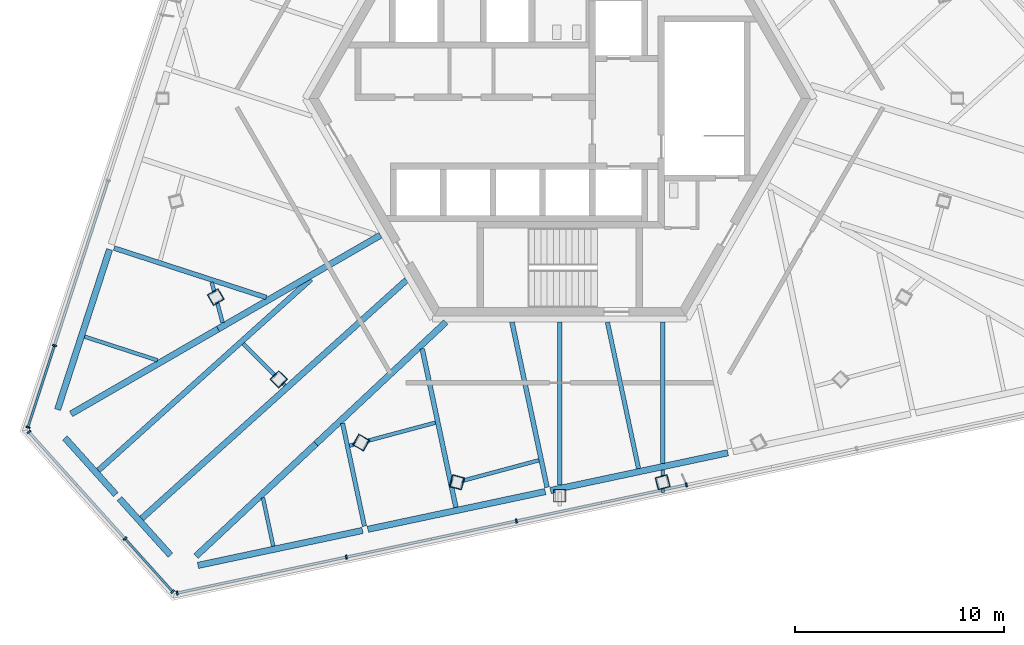
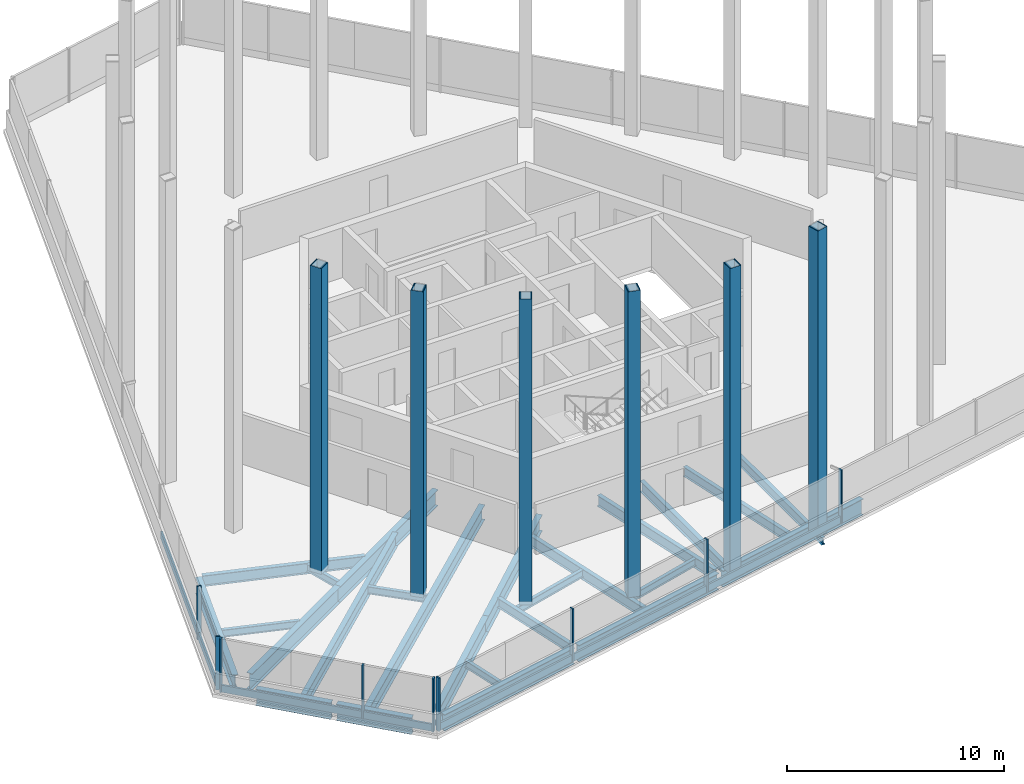
# One storey, part 1 of 11: 26 beams, 22 members, 3 elements without a shape of their own.
"""IFC4 building model written with IfcOpenShell, lengths in metres."""

from ifc_helpers import new_model, si_unit, direction, frame, origin, origin_2d, place, context, subcontext, project, spatial, rectangle, hollow_rectangle, i_section, extrude, source, transform, mapped, material, material_profile, profile_set, type_object, element, aggregate, save


model = new_model("IFC4")

# Units and contexts
model_context = context("Model", 3, precision=1e-05, world=origin(), true_north=direction((0.0, 1.0)))
body_context = subcontext(model_context, "Body", "Model", "MODEL_VIEW")
ifc_project = project(units=[si_unit("LENGTHUNIT", "METRE"), si_unit("AREAUNIT", "SQUARE_METRE"), si_unit("VOLUMEUNIT", "CUBIC_METRE"), si_unit("PLANEANGLEUNIT", "RADIAN"), si_unit("MASSUNIT", "GRAM", prefix="KILO")], contexts=[model_context])

# Site, building, storey
site_placement = place(None, origin())
site = spatial("IfcSite", under=ifc_project, at=site_placement, CompositionType="ELEMENT")
building_placement = place(site_placement, origin())
building = spatial("IfcBuilding", under=site, at=building_placement, Name="Triune Harvest Tower", CompositionType="ELEMENT")
storey_placement = place(building_placement, frame((0.0, 0.0, 296.699951171875)))
storey = spatial("IfcBuildingStorey", under=building, at=storey_placement, Name="L78", CompositionType="ELEMENT", Elevation=296.699951171875)

# Beams
ifc_material_1 = material(Name="Steel ASTM A992 Gr 50", Category="steel")
ifc_material_profile_1 = material_profile(ifc_material_1, i_section(OverallWidth=0.180908203125, OverallDepth=0.41650390625, WebThickness=0.010986328125, FlangeThickness=0.01806640625, at=origin_2d()), Name="W16x57")
ifc_profile_set_1 = profile_set([ifc_material_profile_1], Name="Steel ASTM A992 Gr 50")
beam_type_1 = type_object("IfcBeamType", Name="CJ-1 Crown deck joist W16x57", PredefinedType="JOIST", material=ifc_profile_set_1)
beam_1_placement = place(storey_placement, frame((4.91748046875, -17.762451171875, -0.408203125), z_axis=(0.0, -1.0, 0.0), x_axis=(1.0, 0.0, 0.0)))
element("IfcBeam", 1, at=beam_1_placement, inside=storey, type_object=beam_type_1, Name="beam/L78/CR23", PredefinedType="JOIST", context=body_context, shape_type="SweptSolid", body=[
    extrude(i_section(OverallWidth=0.180908203125, OverallDepth=0.41650390625, WebThickness=0.010986328125, FlangeThickness=0.01806640625, at=origin_2d()), origin(), (0.0, 0.0, 1.0), 1.090087890625),
])
ifc_material_2 = material(Name="Steel ASTM A992 Gr 50", Category="steel")
ifc_material_profile_2 = material_profile(ifc_material_2, i_section(OverallWidth=0.2099609375, OverallDepth=0.535888671875, WebThickness=0.010986328125, FlangeThickness=0.017333984375, at=origin_2d()), Name="W21x68")
ifc_profile_set_2 = profile_set([ifc_material_profile_2], Name="Steel ASTM A992 Gr 50")
beam_type_2 = type_object("IfcBeamType", Name="JT-2 Floor joist W21x68", PredefinedType="JOIST", material=ifc_profile_set_2)
beam_2_placement = place(storey_placement, frame((4.91748046875, -17.45068359375, -0.468017578125), z_axis=(0.0, 1.0, 0.0), x_axis=(-1.0, 0.0, 0.0)))
element("IfcBeam", 2, at=beam_2_placement, inside=storey, type_object=beam_type_2, Name="beam/L78/CR24", PredefinedType="JOIST", context=body_context, shape_type="SweptSolid", body=[
    extrude(i_section(OverallWidth=0.2099609375, OverallDepth=0.535888671875, WebThickness=0.010986328125, FlangeThickness=0.017333984375, at=origin_2d()), origin(), (0.0, 0.0, 1.0), 6.753662109375),
])
ifc_material_3 = material(Name="Steel ASTM A992 Gr 50", Category="steel")
ifc_material_profile_3 = material_profile(ifc_material_3, i_section(OverallWidth=0.22900390625, OverallDepth=0.612060546875, WebThickness=0.011962890625, FlangeThickness=0.01953125, at=origin_2d()), Name="W24x84")
ifc_profile_set_3 = profile_set([ifc_material_profile_3], Name="Steel ASTM A992 Gr 50")
beam_type_3 = type_object("IfcBeamType", Name="JT-3 Floor joist W24x84", PredefinedType="JOIST", material=ifc_profile_set_3)
beam_3_placement = place(storey_placement, frame((0.0, -10.697021484375, -0.506103515625), z_axis=(0.0, -1.0, 0.0), x_axis=(1.0, 0.0, 0.0)))
element("IfcBeam", 3, at=beam_3_placement, inside=storey, type_object=beam_type_3, Name="beam/L78/CR22", PredefinedType="JOIST", context=body_context, shape_type="SweptSolid", body=[
    extrude(i_section(OverallWidth=0.22900390625, OverallDepth=0.612060546875, WebThickness=0.011962890625, FlangeThickness=0.01953125, at=origin_2d()), origin(), (0.0, 0.0, 1.0), 7.799072265625),
])

# Curtain wall, member
ifc_material_4 = material(Name="Aluminium bronze anodised", Category="aluminium")
curtain_wall_type = type_object("IfcCurtainWallType", Name="CW-5 Plant louvre wall", PredefinedType="NOTDEFINED", material=ifc_material_4)
curtain_wall_1_placement = place(storey_placement, origin())
curtain_wall_1 = element("IfcCurtainWall", 4, at=curtain_wall_1_placement, inside=storey, type_object=curtain_wall_type, Name="CW-5 CP-F5 L78 run 1")
ifc_material_5 = material(Name="Aluminium bronze anodised", Category="aluminium")
ifc_material_profile_4 = material_profile(ifc_material_5, rectangle(XDim=0.10009765625, YDim=0.39990234375, at=origin_2d()), Name="TR-5 transom 100 x 400")
ifc_profile_set_4 = profile_set([ifc_material_profile_4], Name="Aluminium bronze anodised")
member_type_1 = type_object("IfcMemberType", Name="TR-5 transom 100 x 400", PredefinedType="USERDEFINED", material=ifc_profile_set_4)
member_1_placement = place(storey_placement, frame((-18.26025390625, -23.64306640625, 0.199951171875), z_axis=(0.978148245348, 0.207908658122, 0.0), x_axis=(-0.207908658122, 0.978148245348, 0.0)))
member_1 = element("IfcMember", 5, at=member_1_placement, type_object=member_type_1, Name="CW-5 transom CP-F5 1.1", ObjectType="TRANSOM", PredefinedType="USERDEFINED", context=body_context, shape_type="SweptSolid", body=[
    extrude(rectangle(XDim=0.10009765625, YDim=0.39990234375, at=origin_2d()), origin(), (0.0, 0.0, 1.0), 8.191650390625),
])

# Beams
ifc_material_6 = material(Name="Steel ASTM A992 Gr 50", Category="steel")
ifc_material_profile_5 = material_profile(ifc_material_6, i_section(OverallWidth=0.3046875, OverallDepth=0.914306640625, WebThickness=0.0166015625, FlangeThickness=0.02587890625, at=origin_2d()), Name="W36x160")
ifc_profile_set_5 = profile_set([ifc_material_profile_5], Name="Steel ASTM A992 Gr 50")
beam_type_4 = type_object("IfcBeamType", Name="HG-3 Hip girder W36x160", PredefinedType="BEAM", material=ifc_profile_set_5)
shared_shape_1 = source(origin(), body_context, "Body", "SweptSolid", [
    extrude(i_section(OverallWidth=0.3046875, OverallDepth=0.914306640625, WebThickness=0.0166015625, FlangeThickness=0.02587890625, at=origin_2d()), origin(), (0.0, 0.0, 1.0), 8.97265625),
])
beam_4_placement = place(storey_placement, frame((-16.34619140625, -11.02734375, -0.6572265625), z_axis=(0.866024277037, 0.500001951578, 0.0), x_axis=(-0.500001951578, 0.866024277037, 0.0)))
element("IfcBeam", 6, at=beam_4_placement, inside=storey, type_object=beam_type_4, Name="beam/L78/HG5", PredefinedType="BEAM", context=body_context, shape_type="MappedRepresentation", body=[
    mapped(shared_shape_1, transform((0.0, 0.0, 0.0), scale=1.0)),
])
ifc_material_7 = material(Name="Steel ASTM A992 Gr 50", Category="steel")
ifc_material_profile_6 = material_profile(ifc_material_7, i_section(OverallWidth=0.3046875, OverallDepth=0.914306640625, WebThickness=0.0166015625, FlangeThickness=0.02587890625, at=origin_2d()), Name="W36x160")
ifc_profile_set_6 = profile_set([ifc_material_profile_6], Name="Steel ASTM A992 Gr 50")
beam_type_5 = type_object("IfcBeamType", Name="SB-1 Spandrel beam W36x160", PredefinedType="SPANDREL", material=ifc_profile_set_6)
shared_shape_2 = source(origin(), body_context, "Body", "SweptSolid", [
    extrude(i_section(OverallWidth=0.3046875, OverallDepth=0.914306640625, WebThickness=0.0166015625, FlangeThickness=0.02587890625, at=origin_2d()), origin(), (0.0, 0.0, 1.0), 8.0498046875),
])
beam_5_placement = place(storey_placement, frame((-21.529296875, -7.220703125, -0.6572265625), z_axis=(-0.30902160762, -0.951055017348, 0.0), x_axis=(0.951055017348, -0.30902160762, 0.0)))
element("IfcBeam", 7, at=beam_5_placement, inside=storey, type_object=beam_type_5, Name="beam/L78/SB12", PredefinedType="SPANDREL", context=body_context, shape_type="MappedRepresentation", body=[
    mapped(shared_shape_2, transform((0.0, 0.0, 0.0), scale=1.0)),
])
shared_shape_3 = source(origin(), body_context, "Body", "SweptSolid", [
    extrude(i_section(OverallWidth=0.3046875, OverallDepth=0.914306640625, WebThickness=0.0166015625, FlangeThickness=0.02587890625, at=origin_2d()), origin(), (0.0, 0.0, 1.0), 8.67138671875),
])
for number, where, z_axis, x_axis, name in (
    (8, (-9.1806640625, -20.603271484375, -0.6572265625), (0.978145539793, 0.207921386546, 0.0), (-0.207921386546, 0.978145539793, 0.0), "beam/L78/SB16"),
    (9, (-0.44775390625, -18.7470703125, -0.6572265625), (0.978145539793, 0.207921386546, 0.0), (-0.207921386546, 0.978145539793, 0.0), "beam/L78/SB17"),
):
    element("IfcBeam", number, at=place(storey_placement, frame(where, z_axis=z_axis, x_axis=x_axis)), inside=storey, type_object=beam_type_5, Name=name, PredefinedType="SPANDREL", context=body_context, shape_type="MappedRepresentation", body=[
        mapped(shared_shape_3, transform((0.0, 0.0, 0.0), scale=1.0)),
    ])
shared_shape_4 = source(origin(), body_context, "Body", "SweptSolid", [
    extrude(i_section(OverallWidth=0.3046875, OverallDepth=0.914306640625, WebThickness=0.0166015625, FlangeThickness=0.02587890625, at=origin_2d()), origin(), (0.0, 0.0, 1.0), 3.645751953125),
])
for number, where, z_axis, x_axis, name in (
    (10, (-23.669189453125, -16.2333984375, -0.6572265625), (0.669138606654, -0.743137621901, 0.0), (0.743137621901, 0.669138606654, 0.0), "beam/L78/SB13"),
    (11, (-21.05810546875, -19.13330078125, -0.6572265625), (0.669138606654, -0.743137621901, 0.0), (0.743137621901, 0.669138606654, 0.0), "beam/L78/SB14"),
):
    element("IfcBeam", number, at=place(storey_placement, frame(where, z_axis=z_axis, x_axis=x_axis)), inside=storey, type_object=beam_type_5, Name=name, PredefinedType="SPANDREL", context=body_context, shape_type="MappedRepresentation", body=[
        mapped(shared_shape_4, transform((0.0, 0.0, 0.0), scale=1.0)),
    ])
shared_shape_5 = source(origin(), body_context, "Body", "SweptSolid", [
    extrude(i_section(OverallWidth=0.3046875, OverallDepth=0.914306640625, WebThickness=0.0166015625, FlangeThickness=0.02587890625, at=origin_2d()), origin(), (0.0, 0.0, 1.0), 8.049560546875),
])
beam_6_placement = place(storey_placement, frame((-17.305419921875, -22.330322265625, -0.6572265625), z_axis=(0.978148597907, 0.207906999431, 0.0), x_axis=(-0.207906999431, 0.978148597907, 0.0)))
element("IfcBeam", 12, at=beam_6_placement, inside=storey, type_object=beam_type_5, Name="beam/L78/SB15", PredefinedType="SPANDREL", context=body_context, shape_type="MappedRepresentation", body=[
    mapped(shared_shape_5, transform((0.0, 0.0, 0.0), scale=1.0)),
])
shared_shape_6 = source(origin(), body_context, "Body", "SweptSolid", [
    extrude(i_section(OverallWidth=0.3046875, OverallDepth=0.914306640625, WebThickness=0.0166015625, FlangeThickness=0.02587890625, at=origin_2d()), origin(), (0.0, 0.0, 1.0), 8.11572265625),
])
beam_7_placement = place(storey_placement, frame((-23.37451171875, -15.085205078125, -0.6572265625), z_axis=(0.866022271607, 0.500005425051, 0.0), x_axis=(-0.500005425051, 0.866022271607, 0.0)))
element("IfcBeam", 13, at=beam_7_placement, inside=storey, type_object=beam_type_4, Name="beam/L78/HG4", PredefinedType="BEAM", context=body_context, shape_type="MappedRepresentation", body=[
    mapped(shared_shape_6, transform((0.0, 0.0, 0.0), scale=1.0)),
])
shared_shape_7 = source(origin(), body_context, "Body", "SweptSolid", [
    extrude(i_section(OverallWidth=0.3046875, OverallDepth=0.914306640625, WebThickness=0.0166015625, FlangeThickness=0.02587890625, at=origin_2d()), origin(), (0.0, 0.0, 1.0), 7.858642578125),
])
beam_8_placement = place(storey_placement, frame((-17.399658203125, -21.88720703125, -0.6572265625), z_axis=(0.729902338859, 0.683551443367, 0.0), x_axis=(-0.683551443367, 0.729902338859, 0.0)))
element("IfcBeam", 14, at=beam_8_placement, inside=storey, type_object=beam_type_4, Name="beam/L78/HG6", PredefinedType="BEAM", context=body_context, shape_type="MappedRepresentation", body=[
    mapped(shared_shape_7, transform((0.0, 0.0, 0.0), scale=1.0)),
])
shared_shape_8 = source(origin(), body_context, "Body", "SweptSolid", [
    extrude(i_section(OverallWidth=0.3046875, OverallDepth=0.914306640625, WebThickness=0.0166015625, FlangeThickness=0.02587890625, at=origin_2d()), origin(), (0.0, 0.0, 1.0), 8.511962890625),
])
beam_9_placement = place(storey_placement, frame((-11.66357421875, -16.515380859375, -0.6572265625), z_axis=(0.729902036757, 0.683551765954, 0.0), x_axis=(-0.683551765954, 0.729902036757, 0.0)))
element("IfcBeam", 15, at=beam_9_placement, inside=storey, type_object=beam_type_4, Name="beam/L78/HG7", PredefinedType="BEAM", context=body_context, shape_type="MappedRepresentation", body=[
    mapped(shared_shape_8, transform((0.0, 0.0, 0.0), scale=1.0)),
])
ifc_material_8 = material(Name="Steel ASTM A992 Gr 50", Category="steel")
ifc_material_profile_7 = material_profile(ifc_material_8, i_section(OverallWidth=0.180908203125, OverallDepth=0.41650390625, WebThickness=0.010986328125, FlangeThickness=0.01806640625, at=origin_2d()), Name="W16x57")
ifc_profile_set_7 = profile_set([ifc_material_profile_7], Name="Steel ASTM A992 Gr 50")
beam_type_6 = type_object("IfcBeamType", Name="JT-1 Floor joist W16x57", PredefinedType="JOIST", material=ifc_profile_set_7)
shared_shape_9 = source(origin(), body_context, "Body", "SweptSolid", [
    extrude(i_section(OverallWidth=0.180908203125, OverallDepth=0.41650390625, WebThickness=0.010986328125, FlangeThickness=0.01806640625, at=origin_2d()), origin(), (0.0, 0.0, 1.0), 2.364990234375),
])
beam_10_placement = place(storey_placement, frame((-13.704345703125, -21.4091796875, -0.408203125), z_axis=(-0.207914315996, 0.978147042731, 0.0), x_axis=(-0.978147042731, -0.207914315996, 0.0)))
element("IfcBeam", 16, at=beam_10_placement, inside=storey, type_object=beam_type_6, Name="beam/L78/JT23", PredefinedType="JOIST", context=body_context, shape_type="MappedRepresentation", body=[
    mapped(shared_shape_9, transform((0.0, 0.0, 0.0), scale=1.0)),
])
shared_shape_10 = source(origin(), body_context, "Body", "SweptSolid", [
    extrude(i_section(OverallWidth=0.2099609375, OverallDepth=0.535888671875, WebThickness=0.010986328125, FlangeThickness=0.017333984375, at=origin_2d()), origin(), (0.0, 0.0, 1.0), 5.031982421875),
])
beam_11_placement = place(storey_placement, frame((-9.34375, -20.45361328125, -0.468017578125), z_axis=(-0.207895312057, 0.978151082004, 0.0), x_axis=(-0.978151082004, -0.207895312057, 0.0)))
element("IfcBeam", 17, at=beam_11_placement, inside=storey, type_object=beam_type_2, Name="beam/L78/JT24", PredefinedType="JOIST", context=body_context, shape_type="MappedRepresentation", body=[
    mapped(shared_shape_10, transform((0.0, 0.0, 0.0), scale=1.0)),
])
shared_shape_11 = source(origin(), body_context, "Body", "SweptSolid", [
    extrude(i_section(OverallWidth=0.22900390625, OverallDepth=0.612060546875, WebThickness=0.011962890625, FlangeThickness=0.01953125, at=origin_2d()), origin(), (0.0, 0.0, 1.0), 7.755126953125),
])
beam_12_placement = place(storey_placement, frame((-4.971435546875, -19.552734375, -0.506103515625), z_axis=(-0.20790130149, 0.978149808996, 0.0), x_axis=(-0.978149808996, -0.20790130149, 0.0)))
element("IfcBeam", 18, at=beam_12_placement, inside=storey, type_object=beam_type_3, Name="beam/L78/JT25", PredefinedType="JOIST", context=body_context, shape_type="MappedRepresentation", body=[
    mapped(shared_shape_11, transform((0.0, 0.0, 0.0), scale=1.0)),
])
shared_shape_12 = source(origin(), body_context, "Body", "SweptSolid", [
    extrude(i_section(OverallWidth=0.22900390625, OverallDepth=0.612060546875, WebThickness=0.011962890625, FlangeThickness=0.01953125, at=origin_2d()), origin(), (0.0, 0.0, 1.0), 8.076904296875),
])
beam_13_placement = place(storey_placement, frame((-0.61083984375, -18.597412109375, -0.506103515625), z_axis=(-0.207902137341, 0.978149631339, 0.0), x_axis=(-0.978149631339, -0.207902137341, 0.0)))
element("IfcBeam", 19, at=beam_13_placement, inside=storey, type_object=beam_type_3, Name="beam/L78/JT26", PredefinedType="JOIST", context=body_context, shape_type="MappedRepresentation", body=[
    mapped(shared_shape_12, transform((0.0, 0.0, 0.0), scale=1.0)),
])
shared_shape_13 = source(origin(), body_context, "Body", "SweptSolid", [
    extrude(i_section(OverallWidth=0.22900390625, OverallDepth=0.612060546875, WebThickness=0.011962890625, FlangeThickness=0.01953125, at=origin_2d()), origin(), (0.0, 0.0, 1.0), 7.6533203125),
])
beam_14_placement = place(storey_placement, frame((-21.318115234375, -7.154541015625, -0.506103515625), z_axis=(0.951057977144, -0.309012498309, 0.0), x_axis=(0.309012498309, 0.951057977144, 0.0)))
element("IfcBeam", 20, at=beam_14_placement, inside=storey, type_object=beam_type_3, Name="beam/L78/JT19", PredefinedType="JOIST", context=body_context, shape_type="MappedRepresentation", body=[
    mapped(shared_shape_13, transform((0.0, 0.0, 0.0), scale=1.0)),
])
shared_shape_14 = source(origin(), body_context, "Body", "SweptSolid", [
    extrude(i_section(OverallWidth=0.180908203125, OverallDepth=0.41650390625, WebThickness=0.010986328125, FlangeThickness=0.01806640625, at=origin_2d()), origin(), (0.0, 0.0, 1.0), 3.661865234375),
])
beam_15_placement = place(storey_placement, frame((-22.72412109375, -11.391357421875, -0.408203125), z_axis=(0.951056113966, -0.309018232614, 0.0), x_axis=(0.309018232614, 0.951056113966, 0.0)))
element("IfcBeam", 21, at=beam_15_placement, inside=storey, type_object=beam_type_6, Name="beam/L78/JT20", PredefinedType="JOIST", context=body_context, shape_type="MappedRepresentation", body=[
    mapped(shared_shape_14, transform((0.0, 0.0, 0.0), scale=1.0)),
])
ifc_material_9 = material(Name="Steel ASTM A992 Gr 50", Category="steel")
ifc_material_profile_8 = material_profile(ifc_material_9, i_section(OverallWidth=0.2666015625, OverallDepth=0.7568359375, WebThickness=0.013916015625, FlangeThickness=0.019287109375, at=origin_2d()), Name="W30x108")
ifc_profile_set_8 = profile_set([ifc_material_profile_8], Name="Steel ASTM A992 Gr 50")
beam_type_7 = type_object("IfcBeamType", Name="JT-5 Floor joist W30x108", PredefinedType="JOIST", material=ifc_profile_set_8)
shared_shape_15 = source(origin(), body_context, "Body", "SweptSolid", [
    extrude(i_section(OverallWidth=0.2666015625, OverallDepth=0.7568359375, WebThickness=0.013916015625, FlangeThickness=0.019287109375, at=origin_2d()), origin(), (0.0, 0.0, 1.0), 13.667724609375),
])
beam_16_placement = place(storey_placement, frame((-22.0654296875, -17.78662109375, -0.578369140625), z_axis=(0.743148465952, 0.66912656318, 0.0), x_axis=(-0.66912656318, 0.743148465952, 0.0)))
element("IfcBeam", 22, at=beam_16_placement, inside=storey, type_object=beam_type_7, Name="beam/L78/JT21", PredefinedType="JOIST", context=body_context, shape_type="MappedRepresentation", body=[
    mapped(shared_shape_15, transform((0.0, 0.0, 0.0), scale=1.0)),
])
ifc_material_10 = material(Name="Steel ASTM A992 Gr 50", Category="steel")
ifc_material_profile_9 = material_profile(ifc_material_10, i_section(OverallWidth=0.2919921875, OverallDepth=0.8408203125, WebThickness=0.0146484375, FlangeThickness=0.021728515625, at=origin_2d()), Name="W33x130")
ifc_profile_set_9 = profile_set([ifc_material_profile_9], Name="Steel ASTM A992 Gr 50")
beam_type_8 = type_object("IfcBeamType", Name="JT-6 Floor joist W33x130", PredefinedType="JOIST", material=ifc_profile_set_9)
shared_shape_16 = source(origin(), body_context, "Body", "SweptSolid", [
    extrude(i_section(OverallWidth=0.2919921875, OverallDepth=0.8408203125, WebThickness=0.0146484375, FlangeThickness=0.021728515625, at=origin_2d()), origin(), (0.0, 0.0, 1.0), 17.03466796875),
])
beam_17_placement = place(storey_placement, frame((-19.99560546875, -20.08544921875, -0.620361328125), z_axis=(0.743143047387, 0.669132581123, 0.0), x_axis=(-0.669132581123, 0.743143047387, 0.0)))
element("IfcBeam", 23, at=beam_17_placement, inside=storey, type_object=beam_type_8, Name="beam/L78/JT22", PredefinedType="JOIST", context=body_context, shape_type="MappedRepresentation", body=[
    mapped(shared_shape_16, transform((0.0, 0.0, 0.0), scale=1.0)),
])
shared_shape_17 = source(origin(), body_context, "Body", "SweptSolid", [
    extrude(i_section(OverallWidth=0.2099609375, OverallDepth=0.535888671875, WebThickness=0.010986328125, FlangeThickness=0.017333984375, at=origin_2d()), origin(), (0.0, 0.0, 1.0), 7.156005859375),
])
beam_18_placement = place(storey_placement, frame((3.761474609375, -17.696533203125, -0.468017578125), z_axis=(-0.207911801049, 0.978147577303, 0.0), x_axis=(-0.978147577303, -0.207911801049, 0.0)))
element("IfcBeam", 24, at=beam_18_placement, inside=storey, type_object=beam_type_2, Name="beam/L78/JT27", PredefinedType="JOIST", context=body_context, shape_type="MappedRepresentation", body=[
    mapped(shared_shape_17, transform((0.0, 0.0, 0.0), scale=1.0)),
])
shared_shape_18 = source(origin(), body_context, "Body", "SweptSolid", [
    extrude(i_section(OverallWidth=0.180908203125, OverallDepth=0.41650390625, WebThickness=0.010986328125, FlangeThickness=0.01806640625, at=origin_2d()), origin(), (0.0, 0.0, 1.0), 4.250244140625),
])
beam_19_placement = place(storey_placement, frame((-10.0546875, -16.60302734375, -0.408203125), z_axis=(0.96593779637, 0.258774368021, 0.0), x_axis=(-0.258774368021, 0.96593779637, 0.0)))
element("IfcBeam", 25, at=beam_19_placement, inside=storey, type_object=beam_type_6, Name="beam/L78/CR19", PredefinedType="JOIST", context=body_context, shape_type="MappedRepresentation", body=[
    mapped(shared_shape_18, transform((0.0, 0.0, 0.0), scale=1.0)),
])
shared_shape_19 = source(origin(), body_context, "Body", "SweptSolid", [
    extrude(i_section(OverallWidth=0.180908203125, OverallDepth=0.41650390625, WebThickness=0.010986328125, FlangeThickness=0.01806640625, at=origin_2d()), origin(), (0.0, 0.0, 1.0), 4.24072265625),
])
beam_20_placement = place(storey_placement, frame((-5.09912109375, -18.401123046875, -0.408203125), z_axis=(0.965935203347, 0.258784046909, 0.0), x_axis=(-0.258784046909, 0.965935203347, 0.0)))
element("IfcBeam", 26, at=beam_20_placement, inside=storey, type_object=beam_type_6, Name="beam/L78/CR20", PredefinedType="JOIST", context=body_context, shape_type="MappedRepresentation", body=[
    mapped(shared_shape_19, transform((0.0, 0.0, 0.0), scale=1.0)),
])
shared_shape_20 = source(origin(), body_context, "Body", "SweptSolid", [
    extrude(i_section(OverallWidth=0.180908203125, OverallDepth=0.41650390625, WebThickness=0.010986328125, FlangeThickness=0.01806640625, at=origin_2d()), origin(), (0.0, 0.0, 1.0), 1.9990234375),
])
beam_21_placement = place(storey_placement, frame((-16.643798828125, -8.793701171875, -0.408203125), z_axis=(0.258795097049, -0.965932242832, 0.0), x_axis=(0.965932242832, 0.258795097049, 0.0)))
element("IfcBeam", 27, at=beam_21_placement, inside=storey, type_object=beam_type_6, Name="beam/L78/CR17", PredefinedType="JOIST", context=body_context, shape_type="MappedRepresentation", body=[
    mapped(shared_shape_20, transform((0.0, 0.0, 0.0), scale=1.0)),
])
shared_shape_21 = source(origin(), body_context, "Body", "SweptSolid", [
    extrude(i_section(OverallWidth=0.180908203125, OverallDepth=0.41650390625, WebThickness=0.010986328125, FlangeThickness=0.01806640625, at=origin_2d()), origin(), (0.0, 0.0, 1.0), 2.817626953125),
])
beam_22_placement = place(storey_placement, frame((-15.139892578125, -11.730224609375, -0.408203125), z_axis=(0.707106781187, -0.707106781187, 0.0), x_axis=(0.707106781187, 0.707106781187, 0.0)))
element("IfcBeam", 28, at=beam_22_placement, inside=storey, type_object=beam_type_6, Name="beam/L78/CR18", PredefinedType="JOIST", context=body_context, shape_type="MappedRepresentation", body=[
    mapped(shared_shape_21, transform((0.0, 0.0, 0.0), scale=1.0)),
])

# Curtain wall, members
curtain_wall_2_placement = place(storey_placement, origin())
curtain_wall_2 = element("IfcCurtainWall", 29, at=curtain_wall_2_placement, inside=storey, type_object=curtain_wall_type, Name="CW-5 CP-F3 L78 run 1")
ifc_material_11 = material(Name="Aluminium bronze anodised", Category="aluminium")
ifc_material_profile_10 = material_profile(ifc_material_11, rectangle(XDim=0.199951171875, YDim=0.080078125, at=origin_2d()), Name="MU-5 mullion 80 x 200")
ifc_profile_set_10 = profile_set([ifc_material_profile_10], Name="Aluminium bronze anodised")
member_type_2 = type_object("IfcMemberType", Name="MU-5 mullion 80 x 200", PredefinedType="MULLION", material=ifc_profile_set_10)
shared_shape_22 = source(origin(), body_context, "Body", "SweptSolid", [
    extrude(rectangle(XDim=0.199951171875, YDim=0.080078125, at=origin_2d()), origin(), (0.0, 0.0, 1.0), 3.0),
])
member_2_placement = place(storey_placement, frame((-24.162841796875, -11.8125, 0.0), z_axis=(0.0, 0.0, 1.0), x_axis=(0.951056724042, -0.309016354995, 0.0)))
member_2 = element("IfcMember", 30, at=member_2_placement, type_object=member_type_2, Name="CW-5 mullion CP-F3 1.11", PredefinedType="MULLION", context=body_context, shape_type="MappedRepresentation", body=[
    mapped(shared_shape_22, transform((0.0, 0.0, 0.0), scale=1.0)),
])
member_3_placement = place(storey_placement, frame((-25.4345703125, -15.726806640625, 0.0), z_axis=(0.0, 0.0, 1.0), x_axis=(0.951056724042, -0.309016354995, 0.0)))
member_3 = element("IfcMember", 31, at=member_3_placement, type_object=member_type_2, Name="CW-5 mullion CP-F3 1.12", PredefinedType="MULLION", context=body_context, shape_type="MappedRepresentation", body=[
    mapped(shared_shape_22, transform((0.0, 0.0, 0.0), scale=1.0)),
])

curtain_wall_3_placement = place(storey_placement, origin())
curtain_wall_3 = element("IfcCurtainWall", 32, at=curtain_wall_3_placement, inside=storey, type_object=curtain_wall_type, Name="CW-5 CP-F4 L78 run 1")
member_4_placement = place(storey_placement, frame((-25.3876953125, -15.947021484375, 0.0), z_axis=(0.0, 0.0, 1.0), x_axis=(0.743143542297, 0.669132031472, 0.0)))
member_4 = element("IfcMember", 33, at=member_4_placement, type_object=member_type_2, Name="CW-5 mullion CP-F4 1.1", PredefinedType="MULLION", context=body_context, shape_type="MappedRepresentation", body=[
    mapped(shared_shape_22, transform((0.0, 0.0, 0.0), scale=1.0)),
])
member_5_placement = place(storey_placement, frame((-20.7958984375, -21.046875, 0.0), z_axis=(0.0, 0.0, 1.0), x_axis=(0.743143542297, 0.669132031472, 0.0)))
member_5 = element("IfcMember", 34, at=member_5_placement, type_object=member_type_2, Name="CW-5 mullion CP-F4 1.3", PredefinedType="MULLION", context=body_context, shape_type="MappedRepresentation", body=[
    mapped(shared_shape_22, transform((0.0, 0.0, 0.0), scale=1.0)),
])
member_6_placement = place(storey_placement, frame((-18.513427734375, -23.581787109375, 0.0), z_axis=(0.0, 0.0, 1.0), x_axis=(0.743143542297, 0.669132031472, 0.0)))
member_6 = element("IfcMember", 35, at=member_6_placement, type_object=member_type_2, Name="CW-5 mullion CP-F4 1.4", PredefinedType="MULLION", context=body_context, shape_type="MappedRepresentation", body=[
    mapped(shared_shape_22, transform((0.0, 0.0, 0.0), scale=1.0)),
])

# Member
member_7_placement = place(storey_placement, frame((-18.29931640625, -23.6513671875, 0.0), z_axis=(0.0, 0.0, 1.0), x_axis=(-0.207910979944, 0.978147751834, 0.0)))
member_7 = element("IfcMember", 36, at=member_7_placement, type_object=member_type_2, Name="CW-5 mullion CP-F5 1.1", PredefinedType="MULLION", context=body_context, shape_type="MappedRepresentation", body=[
    mapped(shared_shape_22, transform((0.0, 0.0, 0.0), scale=1.0)),
])

member_8_placement = place(storey_placement, frame((-10.20849609375, -21.931640625, 0.0), z_axis=(0.0, 0.0, 1.0), x_axis=(-0.207910979944, 0.978147751834, 0.0)))
member_8 = element("IfcMember", 37, at=member_8_placement, type_object=member_type_2, Name="CW-5 mullion CP-F5 1.3", PredefinedType="MULLION", context=body_context, shape_type="MappedRepresentation", body=[
    mapped(shared_shape_22, transform((0.0, 0.0, 0.0), scale=1.0)),
])

member_9_placement = place(storey_placement, frame((-2.07861328125, -20.20361328125, 0.0), z_axis=(0.0, 0.0, 1.0), x_axis=(-0.207910979944, 0.978147751834, 0.0)))
member_9 = element("IfcMember", 38, at=member_9_placement, type_object=member_type_2, Name="CW-5 mullion CP-F5 1.5", PredefinedType="MULLION", context=body_context, shape_type="MappedRepresentation", body=[
    mapped(shared_shape_22, transform((0.0, 0.0, 0.0), scale=1.0)),
])

member_10_placement = place(storey_placement, frame((6.05126953125, -18.4755859375, 0.0), z_axis=(0.0, 0.0, 1.0), x_axis=(-0.207910979944, 0.978147751834, 0.0)))
member_10 = element("IfcMember", 39, at=member_10_placement, type_object=member_type_2, Name="CW-5 mullion CP-F5 1.7", PredefinedType="MULLION", context=body_context, shape_type="MappedRepresentation", body=[
    mapped(shared_shape_22, transform((0.0, 0.0, 0.0), scale=1.0)),
])

shared_shape_23 = source(origin(), body_context, "Body", "SweptSolid", [
    extrude(rectangle(XDim=0.10009765625, YDim=0.39990234375, at=origin_2d()), origin(), (0.0, 0.0, 1.0), 8.2314453125),
])
member_11_placement = place(storey_placement, frame((-21.606689453125, -3.94580078125, 0.199951171875), z_axis=(-0.309020348313, -0.951055426528, 0.0), x_axis=(0.951055426528, -0.309020348313, 0.0)))
member_11 = element("IfcMember", 40, at=member_11_placement, type_object=member_type_1, Name="CW-5 transom CP-F3 1.5", ObjectType="TRANSOM", PredefinedType="USERDEFINED", context=body_context, shape_type="MappedRepresentation", body=[
    mapped(shared_shape_23, transform((0.0, 0.0, 0.0), scale=1.0)),
])

shared_shape_24 = source(origin(), body_context, "Body", "SweptSolid", [
    extrude(rectangle(XDim=0.10009765625, YDim=0.39990234375, at=origin_2d()), origin(), (0.0, 0.0, 1.0), 8.231689453125),
])
member_12_placement = place(storey_placement, frame((-10.16943359375, -21.92333984375, 0.199951171875), z_axis=(0.978148296806, 0.207908416028, 0.0), x_axis=(-0.207908416028, 0.978148296806, 0.0)))
member_12 = element("IfcMember", 41, at=member_12_placement, type_object=member_type_1, Name="CW-5 transom CP-F5 1.2", ObjectType="TRANSOM", PredefinedType="USERDEFINED", context=body_context, shape_type="MappedRepresentation", body=[
    mapped(shared_shape_24, transform((0.0, 0.0, 0.0), scale=1.0)),
])

member_13_placement = place(storey_placement, frame((-2.03955078125, -20.1953125, 0.199951171875), z_axis=(0.978148296806, 0.207908416028, 0.0), x_axis=(-0.207908416028, 0.978148296806, 0.0)))
member_13 = element("IfcMember", 42, at=member_13_placement, type_object=member_type_1, Name="CW-5 transom CP-F5 1.3", ObjectType="TRANSOM", PredefinedType="USERDEFINED", context=body_context, shape_type="MappedRepresentation", body=[
    mapped(shared_shape_24, transform((0.0, 0.0, 0.0), scale=1.0)),
])

aggregate(curtain_wall_1, [member_7, member_8, member_9, member_10, member_1, member_12, member_13])

shared_shape_25 = source(origin(), body_context, "Body", "SweptSolid", [
    extrude(rectangle(XDim=0.10009765625, YDim=0.39990234375, at=origin_2d()), origin(), (0.0, 0.0, 1.0), 4.03564453125),
])
member_14_placement = place(storey_placement, frame((-24.175048828125, -11.8505859375, 0.199951171875), z_axis=(-0.309068289733, -0.951039847894, 0.0), x_axis=(0.951039847894, -0.309068289733, 0.0)))
member_14 = element("IfcMember", 43, at=member_14_placement, type_object=member_type_1, Name="CW-5 transom CP-F3 1.6", ObjectType="TRANSOM", PredefinedType="USERDEFINED", context=body_context, shape_type="MappedRepresentation", body=[
    mapped(shared_shape_25, transform((0.0, 0.0, 0.0), scale=1.0)),
])

aggregate(curtain_wall_2, [member_2, member_3, member_11, member_14])

shared_shape_26 = source(origin(), body_context, "Body", "SweptSolid", [
    extrude(rectangle(XDim=0.10009765625, YDim=0.39990234375, at=origin_2d()), origin(), (0.0, 0.0, 1.0), 6.782470703125),
])
member_15_placement = place(storey_placement, frame((-25.361083984375, -15.976806640625, 0.199951171875), z_axis=(0.669133757351, -0.7431419883, 0.0), x_axis=(0.7431419883, 0.669133757351, 0.0)))
member_15 = element("IfcMember", 44, at=member_15_placement, type_object=member_type_1, Name="CW-5 transom CP-F4 1.1", ObjectType="TRANSOM", PredefinedType="USERDEFINED", context=body_context, shape_type="MappedRepresentation", body=[
    mapped(shared_shape_26, transform((0.0, 0.0, 0.0), scale=1.0)),
])

shared_shape_27 = source(origin(), body_context, "Body", "SweptSolid", [
    extrude(rectangle(XDim=0.10009765625, YDim=0.39990234375, at=origin_2d()), origin(), (0.0, 0.0, 1.0), 3.331298828125),
])
member_16_placement = place(storey_placement, frame((-20.769287109375, -21.076416015625, 0.199951171875), z_axis=(0.669126679924, -0.743148360836, 0.0), x_axis=(0.743148360836, 0.669126679924, 0.0)))
member_16 = element("IfcMember", 45, at=member_16_placement, type_object=member_type_1, Name="CW-5 transom CP-F4 1.2", ObjectType="TRANSOM", PredefinedType="USERDEFINED", context=body_context, shape_type="MappedRepresentation", body=[
    mapped(shared_shape_27, transform((0.0, 0.0, 0.0), scale=1.0)),
])

aggregate(curtain_wall_3, [member_4, member_5, member_6, member_15, member_16])

# Members
ifc_material_12 = material(Name="Steel ASTM A572 Gr 50", Category="steel")
ifc_material_profile_11 = material_profile(ifc_material_12, hollow_rectangle(XDim=0.60009765625, YDim=0.60009765625, WallThickness=0.030029296875, at=origin_2d()), Name="Box 600x600x30")
ifc_profile_set_11 = profile_set([ifc_material_profile_11], Name="Steel ASTM A572 Gr 50")
member_type_3 = type_object("IfcMemberType", Name="CF-1 Crown frame column Box 600x600x30", PredefinedType="POST", material=ifc_profile_set_11)
shared_shape_28 = source(origin(), body_context, "Body", "SweptSolid", [
    extrude(hollow_rectangle(XDim=0.60009765625, YDim=0.60009765625, WallThickness=0.030029296875, at=origin_2d()), origin(), (0.0, 0.0, 1.0), 17.175048828125),
])
for number, where, z_axis, x_axis, name in (
    (46, (-16.45458984375, -9.5, -0.199951171875), (0.0, 0.0, 1.0), (0.5, -0.866025403784, 0.0), "CROWN FRAME post 15"),
    (47, (-13.43505859375, -13.43505859375, -0.199951171875), (0.0, 0.0, 1.0), (0.707106781187, -0.707106781187, 0.0), "CROWN FRAME post 16"),
    (48, (-9.5, -16.45458984375, -0.199951171875), (0.0, 0.0, 1.0), (0.866025403784, -0.5, 0.0), "CROWN FRAME post 17"),
    (49, (-4.91748046875, -18.3525390625, -0.199951171875), (0.0, 0.0, 1.0), (0.965925826289, -0.258819045103, 0.0), "CROWN FRAME post 18"),
    (50, (0.0, -19.0, -0.199951171875), (0.0, 0.0, 1.0), (1.0, 0.0, 0.0), "CROWN FRAME post 19"),
    (51, (4.91748046875, -18.3525390625, -0.199951171875), (0.0, 0.0, 1.0), (0.965925826289, 0.258819045103, 0.0), "CROWN FRAME post 20"),
):
    element("IfcMember", number, at=place(storey_placement, frame(where, z_axis=z_axis, x_axis=x_axis)), inside=storey, type_object=member_type_3, Name=name, PredefinedType="POST", context=body_context, shape_type="MappedRepresentation", body=[
        mapped(shared_shape_28, transform((0.0, 0.0, 0.0), scale=1.0)),
    ])

save(model, "model.ifc")
